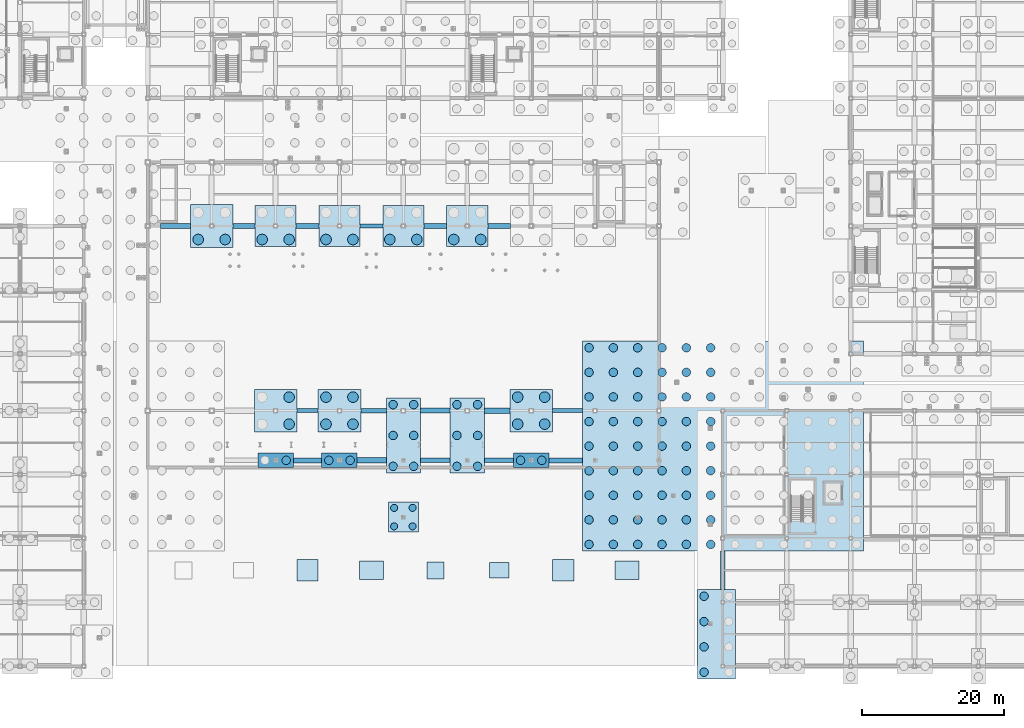
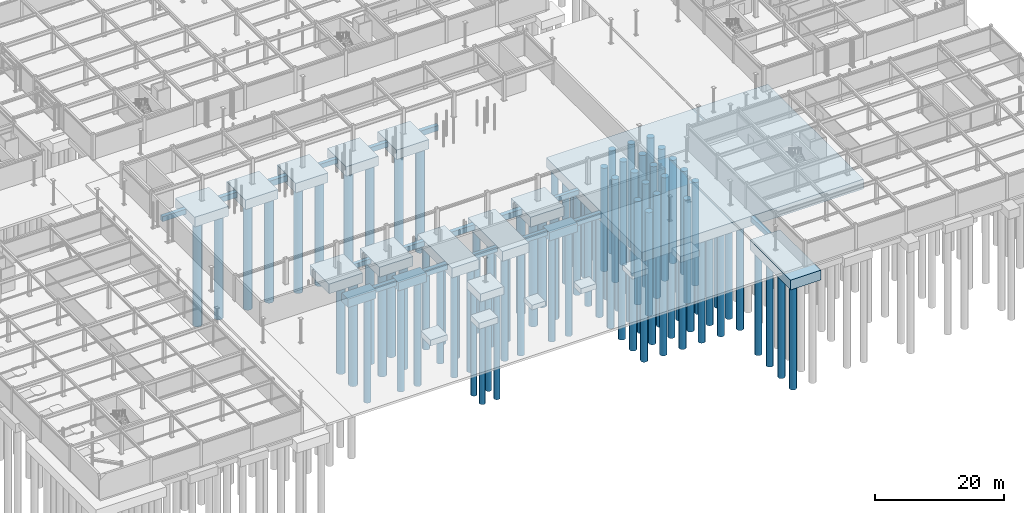
# One storey, part 3 of 74: 99 piles, 39 footings.
"""IFC4 building model written with IfcOpenShell, lengths in metres."""

from ifc_helpers import new_model, si_unit, direction, frame, origin, origin_2d, place, context, subcontext, project, spatial, polyline, rectangle, circle, outline, extrude, material, material_profile, profile_set, type_object, element, save


model = new_model("IFC4")

# Units and contexts
model_context = context("Model", 3, precision=1e-05, world=origin(), true_north=direction((0.0, 1.0)))
body_context = subcontext(model_context, "Body", "Model", "MODEL_VIEW")
ifc_project = project(units=[si_unit("LENGTHUNIT", "METRE"), si_unit("AREAUNIT", "SQUARE_METRE"), si_unit("VOLUMEUNIT", "CUBIC_METRE"), si_unit("PLANEANGLEUNIT", "RADIAN"), si_unit("MASSUNIT", "GRAM", prefix="KILO")], contexts=[model_context])

# Site, building, storey
site_placement = place(None, origin())
site = spatial("IfcSite", under=ifc_project, at=site_placement, CompositionType="ELEMENT")
building_placement = place(site_placement, origin())
building = spatial("IfcBuilding", under=site, at=building_placement, Name="Suzunagisa Mobility Hub", CompositionType="ELEMENT")
storey_placement = place(building_placement, frame((0.0, 0.0, -4.800048828125)))
storey = spatial("IfcBuildingStorey", under=building, at=storey_placement, Name="B1", CompositionType="ELEMENT", Elevation=-4.800048828125)

# Piles
ifc_material_1 = material(Name="Concrete C30/37", Category="concrete")
ifc_material_profile_1 = material_profile(ifc_material_1, circle(Radius=0.60009765625, at=origin_2d()), Name="BORED PILE D1200")
ifc_profile_set_1 = profile_set([ifc_material_profile_1], Name="Concrete C30/37")
pile_type_1 = type_object("IfcPileType", Name="Bored Pile PL-01 D1200", PredefinedType="BORED", material=ifc_profile_set_1)
for number, where, z_axis, x_axis, name in (
    (1, (64.5, 29.0, -1.89990234375), (0.0, 0.0, -1.0), (1.0, 0.0, 0.0), "Bored Pile 49.2"),
    (2, (70.5, 29.0, -1.89990234375), (0.0, 0.0, -1.0), (1.0, 0.0, 0.0), "Bored Pile 57.1"),
    (3, (73.5, 29.0, -1.89990234375), (0.0, 0.0, -1.0), (1.0, 0.0, 0.0), "Bored Pile 57.2"),
):
    element("IfcPile", number, at=place(storey_placement, frame(where, z_axis=z_axis, x_axis=x_axis)), inside=storey, type_object=pile_type_1, Name=name, PredefinedType="BORED", context=body_context, shape_type="SweptSolid", body=[
        extrude(circle(Radius=0.60009765625, at=origin_2d()), origin(), (0.0, 0.0, 1.0), 19.800048828125),
    ])
for number, where, z_axis, x_axis, name in (
    (4, (79.550048828125, 28.14990234375, -2.14990234375), (0.0, 0.0, -1.0), (1.0, 0.0, 0.0), "Bored Pile 64.1"),
    (5, (79.550048828125, 32.5, -2.14990234375), (0.0, 0.0, -1.0), (1.0, 0.0, 0.0), "Bored Pile 64.2"),
    (6, (79.550048828125, 36.85009765625, -2.14990234375), (0.0, 0.0, -1.0), (1.0, 0.0, 0.0), "Bored Pile 64.3"),
    (7, (82.449951171875, 28.14990234375, -2.14990234375), (0.0, 0.0, -1.0), (1.0, 0.0, 0.0), "Bored Pile 64.4"),
    (8, (82.449951171875, 32.5, -2.14990234375), (0.0, 0.0, -1.0), (1.0, 0.0, 0.0), "Bored Pile 64.5"),
    (9, (82.449951171875, 36.85009765625, -2.14990234375), (0.0, 0.0, -1.0), (1.0, 0.0, 0.0), "Bored Pile 64.6"),
    (10, (88.550048828125, 28.14990234375, -2.14990234375), (0.0, 0.0, -1.0), (1.0, 0.0, 0.0), "Bored Pile 68.1"),
    (11, (88.550048828125, 32.5, -2.14990234375), (0.0, 0.0, -1.0), (1.0, 0.0, 0.0), "Bored Pile 68.2"),
    (12, (88.550048828125, 36.85009765625, -2.14990234375), (0.0, 0.0, -1.0), (1.0, 0.0, 0.0), "Bored Pile 68.3"),
    (13, (91.449951171875, 28.14990234375, -2.14990234375), (0.0, 0.0, -1.0), (1.0, 0.0, 0.0), "Bored Pile 68.4"),
    (14, (91.449951171875, 32.5, -2.14990234375), (0.0, 0.0, -1.0), (1.0, 0.0, 0.0), "Bored Pile 68.5"),
    (15, (91.449951171875, 36.85009765625, -2.14990234375), (0.0, 0.0, -1.0), (1.0, 0.0, 0.0), "Bored Pile 68.6"),
):
    element("IfcPile", number, at=place(storey_placement, frame(where, z_axis=z_axis, x_axis=x_axis)), inside=storey, type_object=pile_type_1, Name=name, PredefinedType="BORED", context=body_context, shape_type="SweptSolid", body=[
        extrude(circle(Radius=0.60009765625, at=origin_2d()), origin(), (0.0, 0.0, 1.0), 19.550048828125),
    ])
for number, where, z_axis, x_axis, name in (
    (16, (97.5, 29.0, -1.89990234375), (0.0, 0.0, -1.0), (1.0, 0.0, 0.0), "Bored Pile 73.1"),
    (17, (100.5, 29.0, -1.89990234375), (0.0, 0.0, -1.0), (1.0, 0.0, 0.0), "Bored Pile 73.2"),
):
    element("IfcPile", number, at=place(storey_placement, frame(where, z_axis=z_axis, x_axis=x_axis)), inside=storey, type_object=pile_type_1, Name=name, PredefinedType="BORED", context=body_context, shape_type="SweptSolid", body=[
        extrude(circle(Radius=0.60009765625, at=origin_2d()), origin(), (0.0, 0.0, 1.0), 19.800048828125),
    ])
for number, where, z_axis, x_axis, name in (
    (18, (107.14990234375, 17.14990234375, -2.14990234375), (0.0, 0.0, -1.0), (1.0, 0.0, 0.0), "Bored Pile 82.1"),
    (19, (107.14990234375, 20.612548828125, -2.14990234375), (0.0, 0.0, -1.0), (1.0, 0.0, 0.0), "Bored Pile 82.2"),
    (20, (107.14990234375, 24.074951171875, -2.14990234375), (0.0, 0.0, -1.0), (1.0, 0.0, 0.0), "Bored Pile 82.3"),
    (21, (107.14990234375, 27.53759765625, -2.14990234375), (0.0, 0.0, -1.0), (1.0, 0.0, 0.0), "Bored Pile 82.4"),
    (22, (107.14990234375, 31.0, -2.14990234375), (0.0, 0.0, -1.0), (1.0, 0.0, 0.0), "Bored Pile 82.5"),
    (23, (107.14990234375, 34.46240234375, -2.14990234375), (0.0, 0.0, -1.0), (1.0, 0.0, 0.0), "Bored Pile 82.6"),
    (24, (107.14990234375, 37.925048828125, -2.14990234375), (0.0, 0.0, -1.0), (1.0, 0.0, 0.0), "Bored Pile 82.7"),
    (25, (107.14990234375, 41.387451171875, -2.14990234375), (0.0, 0.0, -1.0), (1.0, 0.0, 0.0), "Bored Pile 82.8"),
    (26, (107.14990234375, 44.85009765625, -2.14990234375), (0.0, 0.0, -1.0), (1.0, 0.0, 0.0), "Bored Pile 82.9"),
    (27, (110.577392578125, 17.14990234375, -2.14990234375), (0.0, 0.0, -1.0), (1.0, 0.0, 0.0), "Bored Pile 82.10"),
    (28, (110.577392578125, 20.612548828125, -2.14990234375), (0.0, 0.0, -1.0), (1.0, 0.0, 0.0), "Bored Pile 82.11"),
    (29, (110.577392578125, 24.074951171875, -2.14990234375), (0.0, 0.0, -1.0), (1.0, 0.0, 0.0), "Bored Pile 82.12"),
    (30, (110.577392578125, 27.53759765625, -2.14990234375), (0.0, 0.0, -1.0), (1.0, 0.0, 0.0), "Bored Pile 82.13"),
    (31, (110.577392578125, 31.0, -2.14990234375), (0.0, 0.0, -1.0), (1.0, 0.0, 0.0), "Bored Pile 82.14"),
    (32, (110.577392578125, 34.46240234375, -2.14990234375), (0.0, 0.0, -1.0), (1.0, 0.0, 0.0), "Bored Pile 82.15"),
    (33, (110.577392578125, 37.925048828125, -2.14990234375), (0.0, 0.0, -1.0), (1.0, 0.0, 0.0), "Bored Pile 82.16"),
    (34, (110.577392578125, 41.387451171875, -2.14990234375), (0.0, 0.0, -1.0), (1.0, 0.0, 0.0), "Bored Pile 82.17"),
    (35, (110.577392578125, 44.85009765625, -2.14990234375), (0.0, 0.0, -1.0), (1.0, 0.0, 0.0), "Bored Pile 82.18"),
    (36, (114.00439453125, 17.14990234375, -2.14990234375), (0.0, 0.0, -1.0), (1.0, 0.0, 0.0), "Bored Pile 82.19"),
    (37, (114.00439453125, 20.612548828125, -2.14990234375), (0.0, 0.0, -1.0), (1.0, 0.0, 0.0), "Bored Pile 82.20"),
    (38, (114.00439453125, 24.074951171875, -2.14990234375), (0.0, 0.0, -1.0), (1.0, 0.0, 0.0), "Bored Pile 82.21"),
    (39, (114.00439453125, 27.53759765625, -2.14990234375), (0.0, 0.0, -1.0), (1.0, 0.0, 0.0), "Bored Pile 82.22"),
    (40, (114.00439453125, 31.0, -2.14990234375), (0.0, 0.0, -1.0), (1.0, 0.0, 0.0), "Bored Pile 82.23"),
    (41, (114.00439453125, 34.46240234375, -2.14990234375), (0.0, 0.0, -1.0), (1.0, 0.0, 0.0), "Bored Pile 82.24"),
    (42, (114.00439453125, 37.925048828125, -2.14990234375), (0.0, 0.0, -1.0), (1.0, 0.0, 0.0), "Bored Pile 82.25"),
    (43, (114.00439453125, 41.387451171875, -2.14990234375), (0.0, 0.0, -1.0), (1.0, 0.0, 0.0), "Bored Pile 82.26"),
    (44, (114.00439453125, 44.85009765625, -2.14990234375), (0.0, 0.0, -1.0), (1.0, 0.0, 0.0), "Bored Pile 82.27"),
    (45, (117.431884765625, 17.14990234375, -2.14990234375), (0.0, 0.0, -1.0), (1.0, 0.0, 0.0), "Bored Pile 82.28"),
    (46, (117.431884765625, 20.612548828125, -2.14990234375), (0.0, 0.0, -1.0), (1.0, 0.0, 0.0), "Bored Pile 82.29"),
    (47, (117.431884765625, 24.074951171875, -2.14990234375), (0.0, 0.0, -1.0), (1.0, 0.0, 0.0), "Bored Pile 82.30"),
    (48, (117.431884765625, 27.53759765625, -2.14990234375), (0.0, 0.0, -1.0), (1.0, 0.0, 0.0), "Bored Pile 82.31"),
    (49, (117.431884765625, 31.0, -2.14990234375), (0.0, 0.0, -1.0), (1.0, 0.0, 0.0), "Bored Pile 82.32"),
    (50, (117.431884765625, 34.46240234375, -2.14990234375), (0.0, 0.0, -1.0), (1.0, 0.0, 0.0), "Bored Pile 82.33"),
    (51, (117.431884765625, 37.925048828125, -2.14990234375), (0.0, 0.0, -1.0), (1.0, 0.0, 0.0), "Bored Pile 82.34"),
    (52, (117.431884765625, 41.387451171875, -2.14990234375), (0.0, 0.0, -1.0), (1.0, 0.0, 0.0), "Bored Pile 82.35"),
    (53, (117.431884765625, 44.85009765625, -2.14990234375), (0.0, 0.0, -1.0), (1.0, 0.0, 0.0), "Bored Pile 82.36"),
    (54, (120.859130859375, 17.14990234375, -2.14990234375), (0.0, 0.0, -1.0), (1.0, 0.0, 0.0), "Bored Pile 82.37"),
    (55, (120.859130859375, 20.612548828125, -2.14990234375), (0.0, 0.0, -1.0), (1.0, 0.0, 0.0), "Bored Pile 82.38"),
    (56, (120.859130859375, 24.074951171875, -2.14990234375), (0.0, 0.0, -1.0), (1.0, 0.0, 0.0), "Bored Pile 82.39"),
    (57, (120.859130859375, 27.53759765625, -2.14990234375), (0.0, 0.0, -1.0), (1.0, 0.0, 0.0), "Bored Pile 82.40"),
    (58, (120.859130859375, 31.0, -2.14990234375), (0.0, 0.0, -1.0), (1.0, 0.0, 0.0), "Bored Pile 82.41"),
    (59, (120.859130859375, 34.46240234375, -2.14990234375), (0.0, 0.0, -1.0), (1.0, 0.0, 0.0), "Bored Pile 82.42"),
    (60, (120.859130859375, 37.925048828125, -2.14990234375), (0.0, 0.0, -1.0), (1.0, 0.0, 0.0), "Bored Pile 82.43"),
    (61, (120.859130859375, 41.387451171875, -2.14990234375), (0.0, 0.0, -1.0), (1.0, 0.0, 0.0), "Bored Pile 82.44"),
    (62, (120.859130859375, 44.85009765625, -2.14990234375), (0.0, 0.0, -1.0), (1.0, 0.0, 0.0), "Bored Pile 82.45"),
    (63, (124.286376953125, 17.14990234375, -2.14990234375), (0.0, 0.0, -1.0), (1.0, 0.0, 0.0), "Bored Pile 82.46"),
    (64, (124.286376953125, 20.612548828125, -2.14990234375), (0.0, 0.0, -1.0), (1.0, 0.0, 0.0), "Bored Pile 82.47"),
    (65, (124.286376953125, 24.074951171875, -2.14990234375), (0.0, 0.0, -1.0), (1.0, 0.0, 0.0), "Bored Pile 82.48"),
    (66, (124.286376953125, 27.53759765625, -2.14990234375), (0.0, 0.0, -1.0), (1.0, 0.0, 0.0), "Bored Pile 82.49"),
    (67, (124.286376953125, 31.0, -2.14990234375), (0.0, 0.0, -1.0), (1.0, 0.0, 0.0), "Bored Pile 82.50"),
    (68, (124.286376953125, 34.46240234375, -2.14990234375), (0.0, 0.0, -1.0), (1.0, 0.0, 0.0), "Bored Pile 82.51"),
    (69, (124.286376953125, 37.925048828125, -2.14990234375), (0.0, 0.0, -1.0), (1.0, 0.0, 0.0), "Bored Pile 82.52"),
    (70, (124.286376953125, 41.387451171875, -2.14990234375), (0.0, 0.0, -1.0), (1.0, 0.0, 0.0), "Bored Pile 82.53"),
    (71, (124.286376953125, 44.85009765625, -2.14990234375), (0.0, 0.0, -1.0), (1.0, 0.0, 0.0), "Bored Pile 82.54"),
    (72, (123.35009765625, -0.85009765625, -2.14990234375), (0.0, 0.0, -1.0), (1.0, 0.0, 0.0), "Bored Pile 94.1"),
    (73, (123.35009765625, 2.716796875, -2.14990234375), (0.0, 0.0, -1.0), (1.0, 0.0, 0.0), "Bored Pile 94.2"),
    (74, (123.35009765625, 6.283203125, -2.14990234375), (0.0, 0.0, -1.0), (1.0, 0.0, 0.0), "Bored Pile 94.3"),
    (75, (123.35009765625, 9.85009765625, -2.14990234375), (0.0, 0.0, -1.0), (1.0, 0.0, 0.0), "Bored Pile 94.4"),
):
    element("IfcPile", number, at=place(storey_placement, frame(where, z_axis=z_axis, x_axis=x_axis)), inside=storey, type_object=pile_type_1, Name=name, PredefinedType="BORED", context=body_context, shape_type="SweptSolid", body=[
        extrude(circle(Radius=0.60009765625, at=origin_2d()), origin(), (0.0, 0.0, 1.0), 19.550048828125),
    ])
ifc_material_profile_2 = material_profile(ifc_material_1, circle(Radius=0.5, at=origin_2d()), Name="BORED PILE D1000")
ifc_profile_set_2 = profile_set([ifc_material_profile_2], Name="Concrete C30/37")
pile_type_2 = type_object("IfcPileType", Name="Bored Pile PL-02 D1000", PredefinedType="BORED", material=ifc_profile_set_2)
for number, where, z_axis, x_axis, name in (
    (76, (79.699951171875, 19.699951171875, -1.77001953125), (0.0, 0.0, -1.0), (1.0, 0.0, 0.0), "Bored Pile 63.1"),
    (77, (82.300048828125, 19.699951171875, -1.77001953125), (0.0, 0.0, -1.0), (1.0, 0.0, 0.0), "Bored Pile 63.2"),
    (78, (79.699951171875, 22.300048828125, -1.77001953125), (0.0, 0.0, -1.0), (1.0, 0.0, 0.0), "Bored Pile 63.3"),
    (79, (82.300048828125, 22.300048828125, -1.77001953125), (0.0, 0.0, -1.0), (1.0, 0.0, 0.0), "Bored Pile 63.4"),
):
    element("IfcPile", number, at=place(storey_placement, frame(where, z_axis=z_axis, x_axis=x_axis)), inside=storey, type_object=pile_type_2, Name=name, PredefinedType="BORED", context=body_context, shape_type="SweptSolid", body=[
        extrude(circle(Radius=0.5, at=origin_2d()), origin(), (0.0, 0.0, 1.0), 19.929931640625),
    ])
ifc_material_profile_3 = material_profile(ifc_material_1, circle(Radius=0.75, at=origin_2d()), Name="BORED PILE D1500")
ifc_profile_set_3 = profile_set([ifc_material_profile_3], Name="Concrete C30/37")
pile_type_3 = type_object("IfcPileType", Name="Bored Pile PL-03 D1500", PredefinedType="BORED", material=ifc_profile_set_3)
for number, where, z_axis, x_axis, name in (
    (80, (52.10009765625, 60.10009765625, -2.14990234375), (0.0, 0.0, -1.0), (1.0, 0.0, 0.0), "Bored Pile 44.1"),
    (81, (55.89990234375, 60.10009765625, -2.14990234375), (0.0, 0.0, -1.0), (1.0, 0.0, 0.0), "Bored Pile 44.2"),
    (82, (64.89990234375, 34.10009765625, -2.14990234375), (0.0, 0.0, -1.0), (1.0, 0.0, 0.0), "Bored Pile 50.2"),
    (83, (64.89990234375, 37.89990234375, -2.14990234375), (0.0, 0.0, -1.0), (1.0, 0.0, 0.0), "Bored Pile 50.4"),
):
    element("IfcPile", number, at=place(storey_placement, frame(where, z_axis=z_axis, x_axis=x_axis)), inside=storey, type_object=pile_type_3, Name=name, PredefinedType="BORED", context=body_context, shape_type="SweptSolid", body=[
        extrude(circle(Radius=0.75, at=origin_2d()), origin(), (0.0, 0.0, 1.0), 19.550048828125),
    ])
for number, where, z_axis, x_axis, name in (
    (84, (61.10009765625, 60.10009765625, -2.099853515625), (0.0, 0.0, -1.0), (1.0, 0.0, 0.0), "Bored Pile 51.1"),
    (85, (64.89990234375, 60.10009765625, -2.099853515625), (0.0, 0.0, -1.0), (1.0, 0.0, 0.0), "Bored Pile 51.2"),
):
    element("IfcPile", number, at=place(storey_placement, frame(where, z_axis=z_axis, x_axis=x_axis)), inside=storey, type_object=pile_type_3, Name=name, PredefinedType="BORED", context=body_context, shape_type="SweptSolid", body=[
        extrude(circle(Radius=0.75, at=origin_2d()), origin(), (0.0, 0.0, 1.0), 19.60009765625),
    ])
for number, where, z_axis, x_axis, name in (
    (86, (70.10009765625, 34.10009765625, -2.14990234375), (0.0, 0.0, -1.0), (1.0, 0.0, 0.0), "Bored Pile 58.1"),
    (87, (73.89990234375, 34.10009765625, -2.14990234375), (0.0, 0.0, -1.0), (1.0, 0.0, 0.0), "Bored Pile 58.2"),
    (88, (70.10009765625, 37.89990234375, -2.14990234375), (0.0, 0.0, -1.0), (1.0, 0.0, 0.0), "Bored Pile 58.3"),
    (89, (73.89990234375, 37.89990234375, -2.14990234375), (0.0, 0.0, -1.0), (1.0, 0.0, 0.0), "Bored Pile 58.4"),
):
    element("IfcPile", number, at=place(storey_placement, frame(where, z_axis=z_axis, x_axis=x_axis)), inside=storey, type_object=pile_type_3, Name=name, PredefinedType="BORED", context=body_context, shape_type="SweptSolid", body=[
        extrude(circle(Radius=0.75, at=origin_2d()), origin(), (0.0, 0.0, 1.0), 19.550048828125),
    ])
for number, where, z_axis, x_axis, name in (
    (90, (70.10009765625, 60.10009765625, -2.099853515625), (0.0, 0.0, -1.0), (1.0, 0.0, 0.0), "Bored Pile 59.1"),
    (91, (73.89990234375, 60.10009765625, -2.099853515625), (0.0, 0.0, -1.0), (1.0, 0.0, 0.0), "Bored Pile 59.2"),
    (92, (79.10009765625, 60.10009765625, -2.099853515625), (0.0, 0.0, -1.0), (1.0, 0.0, 0.0), "Bored Pile 65.1"),
    (93, (82.89990234375, 60.10009765625, -2.099853515625), (0.0, 0.0, -1.0), (1.0, 0.0, 0.0), "Bored Pile 65.2"),
    (94, (88.10009765625, 60.10009765625, -2.099853515625), (0.0, 0.0, -1.0), (1.0, 0.0, 0.0), "Bored Pile 69.1"),
    (95, (91.89990234375, 60.10009765625, -2.099853515625), (0.0, 0.0, -1.0), (1.0, 0.0, 0.0), "Bored Pile 69.2"),
):
    element("IfcPile", number, at=place(storey_placement, frame(where, z_axis=z_axis, x_axis=x_axis)), inside=storey, type_object=pile_type_3, Name=name, PredefinedType="BORED", context=body_context, shape_type="SweptSolid", body=[
        extrude(circle(Radius=0.75, at=origin_2d()), origin(), (0.0, 0.0, 1.0), 19.60009765625),
    ])
for number, where, z_axis, x_axis, name in (
    (96, (97.10009765625, 34.10009765625, -2.14990234375), (0.0, 0.0, -1.0), (1.0, 0.0, 0.0), "Bored Pile 74.1"),
    (97, (100.89990234375, 34.10009765625, -2.14990234375), (0.0, 0.0, -1.0), (1.0, 0.0, 0.0), "Bored Pile 74.2"),
    (98, (97.10009765625, 37.89990234375, -2.14990234375), (0.0, 0.0, -1.0), (1.0, 0.0, 0.0), "Bored Pile 74.3"),
    (99, (100.89990234375, 37.89990234375, -2.14990234375), (0.0, 0.0, -1.0), (1.0, 0.0, 0.0), "Bored Pile 74.4"),
):
    element("IfcPile", number, at=place(storey_placement, frame(where, z_axis=z_axis, x_axis=x_axis)), inside=storey, type_object=pile_type_3, Name=name, PredefinedType="BORED", context=body_context, shape_type="SweptSolid", body=[
        extrude(circle(Radius=0.75, at=origin_2d()), origin(), (0.0, 0.0, 1.0), 19.550048828125),
    ])

# Footings
ifc_material_2 = material(Name="Concrete C35/45", Category="concrete")
footing_type_1 = type_object("IfcFootingType", Name="Combined Prow Pile Cap FR-15 4800x10600x1850", PredefinedType="PILE_CAP", material=ifc_material_2)
for number, where, z_axis, x_axis, name in (
    (100, (81.0, 32.5, -2.300048828125), (0.0, 0.0, 1.0), (1.0, 0.0, 0.0), "Combined Prow Pile Cap 64"),
    (101, (90.0, 32.5, -2.300048828125), (0.0, 0.0, 1.0), (1.0, 0.0, 0.0), "Combined Prow Pile Cap 68"),
):
    element("IfcFooting", number, at=place(storey_placement, frame(where, z_axis=z_axis, x_axis=x_axis)), inside=storey, type_object=footing_type_1, Name=name, PredefinedType="PILE_CAP", context=body_context, shape_type="SweptSolid", body=[
        extrude(rectangle(XDim=4.800048828125, YDim=10.60009765625, at=origin_2d()), origin(), (0.0, 0.0, 1.0), 1.85009765625),
    ])
footing_type_2 = type_object("IfcFootingType", Name="Combined Prow Pile Cap FR-17 39600x29600x1850", PredefinedType="PILE_CAP", material=ifc_material_2)
footing_1_placement = place(storey_placement, frame((126.0, 31.0, -2.300048828125), z_axis=(0.0, 0.0, 1.0), x_axis=(1.0, 0.0, 0.0)))
element("IfcFooting", 102, at=footing_1_placement, inside=storey, type_object=footing_type_2, Name="Combined Prow Pile Cap 82", PredefinedType="PILE_CAP", context=body_context, shape_type="SweptSolid", body=[
    extrude(rectangle(XDim=39.60009765625, YDim=29.60009765625, at=origin_2d()), origin(), (0.0, 0.0, 1.0), 1.85009765625),
])
footing_type_3 = type_object("IfcFootingType", Name="Combined Prow Pile Cap FR-20 5400x12600x1850", PredefinedType="PILE_CAP", material=ifc_material_2)
footing_2_placement = place(storey_placement, frame((125.10009765625, 4.5, -2.300048828125), z_axis=(0.0, 0.0, 1.0), x_axis=(1.0, 0.0, 0.0)))
element("IfcFooting", 103, at=footing_2_placement, inside=storey, type_object=footing_type_3, Name="Combined Prow Pile Cap 94", PredefinedType="PILE_CAP", context=body_context, shape_type="SweptSolid", body=[
    extrude(rectangle(XDim=5.39990234375, YDim=12.60009765625, at=origin_2d()), origin(), (0.0, 0.0, 1.0), 1.85009765625),
])
footing_type_4 = type_object("IfcFootingType", Name="Ground Tie Beam FT-03 750x1100", PredefinedType="FOOTING_BEAM", material=ifc_material_2)
footing_3_placement = place(storey_placement, frame((0.0, 0.0, -1.550048828125)))
element("IfcFooting", 104, at=footing_3_placement, inside=storey, type_object=footing_type_4, Name="Foundation Tie Beam TBX-32", PredefinedType="FOOTING_BEAM", context=body_context, shape_type="SweptSolid", body=[
    extrude(outline(polyline([(74.5, 28.625), (78.60009765625, 28.625), (78.60009765625, 29.375), (74.5, 29.375), (74.5, 28.625)])), origin(), (0.0, 0.0, 1.0), 1.10009765625),
])
footing_4_placement = place(storey_placement, frame((0.0, 0.0, -1.550048828125)))
element("IfcFooting", 105, at=footing_4_placement, inside=storey, type_object=footing_type_4, Name="Foundation Tie Beam TBX-44", PredefinedType="FOOTING_BEAM", context=body_context, shape_type="SweptSolid", body=[
    extrude(outline(polyline([(92.39990234375, 35.625), (96.0, 35.625), (96.0, 36.375), (92.39990234375, 36.375), (92.39990234375, 35.625)])), origin(), (0.0, 0.0, 1.0), 1.10009765625),
])
footing_5_placement = place(storey_placement, frame((0.0, 0.0, -1.550048828125)))
element("IfcFooting", 106, at=footing_5_placement, inside=storey, type_object=footing_type_4, Name="Foundation Tie Beam TBX-68", PredefinedType="FOOTING_BEAM", context=body_context, shape_type="SweptSolid", body=[
    extrude(outline(polyline([(65.89990234375, 61.625), (69.10009765625, 61.625), (69.10009765625, 62.375), (65.89990234375, 62.375), (65.89990234375, 61.625)])), origin(), (0.0, 0.0, 1.0), 1.10009765625),
])
footing_type_5 = type_object("IfcFootingType", Name="Ground Tie Beam FT-05 600x900", PredefinedType="FOOTING_BEAM", material=ifc_material_2)
footing_6_placement = place(storey_placement, frame((0.0, 0.0, -1.349853515625)))
element("IfcFooting", 107, at=footing_6_placement, inside=storey, type_object=footing_type_5, Name="Foundation Tie Beam TBX-33", PredefinedType="FOOTING_BEAM", context=body_context, shape_type="SweptSolid", body=[
    extrude(outline(polyline([(83.39990234375, 28.699951171875), (87.60009765625, 28.699951171875), (87.60009765625, 29.300048828125), (83.39990234375, 29.300048828125), (83.39990234375, 28.699951171875)])), origin(), (0.0, 0.0, 1.0), 0.89990234375),
])
footing_7_placement = place(storey_placement, frame((0.0, 0.0, -1.349853515625)))
element("IfcFooting", 108, at=footing_7_placement, inside=storey, type_object=footing_type_5, Name="Foundation Tie Beam TBX-41", PredefinedType="FOOTING_BEAM", context=body_context, shape_type="SweptSolid", body=[
    extrude(outline(polyline([(66.0, 35.699951171875), (69.0, 35.699951171875), (69.0, 36.300048828125), (66.0, 36.300048828125), (66.0, 35.699951171875)])), origin(), (0.0, 0.0, 1.0), 0.89990234375),
])
footing_8_placement = place(storey_placement, frame((0.0, 0.0, -1.349853515625)))
element("IfcFooting", 109, at=footing_8_placement, inside=storey, type_object=footing_type_5, Name="Foundation Tie Beam TBX-45", PredefinedType="FOOTING_BEAM", context=body_context, shape_type="SweptSolid", body=[
    extrude(outline(polyline([(102.0, 35.699951171875), (106.199951171875, 35.699951171875), (106.199951171875, 36.300048828125), (102.0, 36.300048828125), (102.0, 35.699951171875)])), origin(), (0.0, 0.0, 1.0), 0.89990234375),
])
footing_9_placement = place(storey_placement, frame((0.0, 0.0, -1.349853515625)))
element("IfcFooting", 110, at=footing_9_placement, inside=storey, type_object=footing_type_5, Name="Foundation Tie Beam TBX-69", PredefinedType="FOOTING_BEAM", context=body_context, shape_type="SweptSolid", body=[
    extrude(outline(polyline([(74.89990234375, 61.699951171875), (78.10009765625, 61.699951171875), (78.10009765625, 62.300048828125), (74.89990234375, 62.300048828125), (74.89990234375, 61.699951171875)])), origin(), (0.0, 0.0, 1.0), 0.89990234375),
])
footing_type_6 = type_object("IfcFootingType", Name="Ground Tie Beam FT-07 650x950", PredefinedType="FOOTING_BEAM", material=ifc_material_2)
footing_10_placement = place(storey_placement, frame((0.0, 0.0, -1.39990234375)))
element("IfcFooting", 111, at=footing_10_placement, inside=storey, type_object=footing_type_6, Name="Foundation Tie Beam TBX-34", PredefinedType="FOOTING_BEAM", context=body_context, shape_type="SweptSolid", body=[
    extrude(outline(polyline([(92.39990234375, 28.675048828125), (96.5, 28.675048828125), (96.5, 29.324951171875), (92.39990234375, 29.324951171875), (92.39990234375, 28.675048828125)])), origin(), (0.0, 0.0, 1.0), 0.949951171875),
])
footing_11_placement = place(storey_placement, frame((0.0, 0.0, -1.39990234375)))
element("IfcFooting", 112, at=footing_11_placement, inside=storey, type_object=footing_type_6, Name="Foundation Tie Beam TBX-42", PredefinedType="FOOTING_BEAM", context=body_context, shape_type="SweptSolid", body=[
    extrude(outline(polyline([(75.0, 35.675048828125), (78.60009765625, 35.675048828125), (78.60009765625, 36.324951171875), (75.0, 36.324951171875), (75.0, 35.675048828125)])), origin(), (0.0, 0.0, 1.0), 0.949951171875),
])
footing_12_placement = place(storey_placement, frame((0.0, 0.0, -1.449951171875)))
element("IfcFooting", 113, at=footing_12_placement, inside=storey, type_object=footing_type_6, Name="Foundation Tie Beam TBX-66", PredefinedType="FOOTING_BEAM", context=body_context, shape_type="SweptSolid", body=[
    extrude(outline(polyline([(46.800048828125, 61.675048828125), (51.0, 61.675048828125), (51.0, 62.324951171875), (46.800048828125, 62.324951171875), (46.800048828125, 61.675048828125)])), origin(), (0.0, 0.0, 1.0), 0.949951171875),
])
footing_13_placement = place(storey_placement, frame((0.0, 0.0, -1.39990234375)))
element("IfcFooting", 114, at=footing_13_placement, inside=storey, type_object=footing_type_6, Name="Foundation Tie Beam TBX-70", PredefinedType="FOOTING_BEAM", context=body_context, shape_type="SweptSolid", body=[
    extrude(outline(polyline([(83.89990234375, 61.675048828125), (87.10009765625, 61.675048828125), (87.10009765625, 62.324951171875), (83.89990234375, 62.324951171875), (83.89990234375, 61.675048828125)])), origin(), (0.0, 0.0, 1.0), 0.949951171875),
])
footing_14_placement = place(storey_placement, frame((0.0, 0.0, -1.39990234375)))
element("IfcFooting", 115, at=footing_14_placement, inside=storey, type_object=footing_type_6, Name="Foundation Tie Beam TBY-218", PredefinedType="FOOTING_BEAM", context=body_context, shape_type="SweptSolid", body=[
    extrude(outline(polyline([(125.675048828125, 10.800048828125), (126.324951171875, 10.800048828125), (126.324951171875, 16.199951171875), (125.675048828125, 16.199951171875), (125.675048828125, 10.800048828125)])), origin(), (0.0, 0.0, 1.0), 0.949951171875),
])
footing_type_7 = type_object("IfcFootingType", Name="Ground Tie Beam FT-23 700x1000", PredefinedType="FOOTING_BEAM", material=ifc_material_2)
footing_15_placement = place(storey_placement, frame((0.0, 0.0, -1.449951171875)))
element("IfcFooting", 116, at=footing_15_placement, inside=storey, type_object=footing_type_7, Name="Foundation Tie Beam TBX-31", PredefinedType="FOOTING_BEAM", context=body_context, shape_type="SweptSolid", body=[
    extrude(outline(polyline([(65.5, 28.64990234375), (69.5, 28.64990234375), (69.5, 29.35009765625), (65.5, 29.35009765625), (65.5, 28.64990234375)])), origin(), (0.0, 0.0, 1.0), 1.0),
])
footing_16_placement = place(storey_placement, frame((0.0, 0.0, -1.449951171875)))
element("IfcFooting", 117, at=footing_16_placement, inside=storey, type_object=footing_type_7, Name="Foundation Tie Beam TBX-35", PredefinedType="FOOTING_BEAM", context=body_context, shape_type="SweptSolid", body=[
    extrude(outline(polyline([(101.5, 28.64990234375), (106.199951171875, 28.64990234375), (106.199951171875, 29.35009765625), (101.5, 29.35009765625), (101.5, 28.64990234375)])), origin(), (0.0, 0.0, 1.0), 1.0),
])
footing_17_placement = place(storey_placement, frame((0.0, 0.0, -1.449951171875)))
element("IfcFooting", 118, at=footing_17_placement, inside=storey, type_object=footing_type_7, Name="Foundation Tie Beam TBX-43", PredefinedType="FOOTING_BEAM", context=body_context, shape_type="SweptSolid", body=[
    extrude(outline(polyline([(83.39990234375, 35.64990234375), (87.60009765625, 35.64990234375), (87.60009765625, 36.35009765625), (83.39990234375, 36.35009765625), (83.39990234375, 35.64990234375)])), origin(), (0.0, 0.0, 1.0), 1.0),
])
footing_18_placement = place(storey_placement, frame((0.0, 0.0, -1.449951171875)))
element("IfcFooting", 119, at=footing_18_placement, inside=storey, type_object=footing_type_7, Name="Foundation Tie Beam TBX-67", PredefinedType="FOOTING_BEAM", context=body_context, shape_type="SweptSolid", body=[
    extrude(outline(polyline([(57.0, 61.64990234375), (60.10009765625, 61.64990234375), (60.10009765625, 62.35009765625), (57.0, 62.35009765625), (57.0, 61.64990234375)])), origin(), (0.0, 0.0, 1.0), 1.0),
])
footing_19_placement = place(storey_placement, frame((0.0, 0.0, -1.449951171875)))
element("IfcFooting", 120, at=footing_19_placement, inside=storey, type_object=footing_type_7, Name="Foundation Tie Beam TBX-71", PredefinedType="FOOTING_BEAM", context=body_context, shape_type="SweptSolid", body=[
    extrude(outline(polyline([(92.89990234375, 61.64990234375), (96.10009765625, 61.64990234375), (96.10009765625, 62.35009765625), (92.89990234375, 62.35009765625), (92.89990234375, 61.64990234375)])), origin(), (0.0, 0.0, 1.0), 1.0),
])
footing_type_8 = type_object("IfcFootingType", Name="Pad Footing FT-02 3000x3000x1100", PredefinedType="PAD_FOOTING", material=ifc_material_2)
for number, where, z_axis, x_axis, name in (
    (121, (67.5, 13.5, -1.52001953125), (0.0, 0.0, 1.0), (1.0, 0.0, 0.0), "Forecourt Mat Pad Footing PF-3"),
    (122, (103.5, 13.5, -1.52001953125), (0.0, 0.0, 1.0), (1.0, 0.0, 0.0), "Forecourt Mat Pad Footing PF-7"),
):
    element("IfcFooting", number, at=place(storey_placement, frame(where, z_axis=z_axis, x_axis=x_axis)), inside=storey, type_object=footing_type_8, Name=name, PredefinedType="PAD_FOOTING", context=body_context, shape_type="SweptSolid", body=[
        extrude(rectangle(XDim=3.0, YDim=3.0, at=origin_2d()), origin(), (0.0, 0.0, 1.0), 1.10009765625),
    ])
footing_type_9 = type_object("IfcFootingType", Name="Pad Footing FT-11 3400x2600x1150", PredefinedType="PAD_FOOTING", material=ifc_material_2)
for number, where, z_axis, x_axis, name in (
    (123, (76.5, 13.5, -1.56982421875), (0.0, 0.0, 1.0), (1.0, 0.0, 0.0), "Forecourt Mat Pad Footing PF-4"),
    (124, (112.5, 13.5, -1.56982421875), (0.0, 0.0, 1.0), (1.0, 0.0, 0.0), "Forecourt Mat Pad Footing PF-8"),
):
    element("IfcFooting", number, at=place(storey_placement, frame(where, z_axis=z_axis, x_axis=x_axis)), inside=storey, type_object=footing_type_9, Name=name, PredefinedType="PAD_FOOTING", context=body_context, shape_type="SweptSolid", body=[
        extrude(rectangle(XDim=3.39990234375, YDim=2.60009765625, at=origin_2d()), origin(), (0.0, 0.0, 1.0), 1.14990234375),
    ])
footing_type_10 = type_object("IfcFootingType", Name="Pad Footing FT-20 2800x2200x1000", PredefinedType="PAD_FOOTING", material=ifc_material_2)
footing_20_placement = place(storey_placement, frame((94.5, 13.5, -1.419921875), z_axis=(0.0, 0.0, 1.0), x_axis=(1.0, 0.0, 0.0)))
element("IfcFooting", 125, at=footing_20_placement, inside=storey, type_object=footing_type_10, Name="Forecourt Mat Pad Footing PF-6", PredefinedType="PAD_FOOTING", context=body_context, shape_type="SweptSolid", body=[
    extrude(rectangle(XDim=2.800048828125, YDim=2.199951171875, at=origin_2d()), origin(), (0.0, 0.0, 1.0), 1.0),
])
footing_type_11 = type_object("IfcFootingType", Name="Pad Footing FT-24 2400x2400x900", PredefinedType="PAD_FOOTING", material=ifc_material_2)
footing_21_placement = place(storey_placement, frame((85.5, 13.5, -1.31982421875), z_axis=(0.0, 0.0, 1.0), x_axis=(1.0, 0.0, 0.0)))
element("IfcFooting", 126, at=footing_21_placement, inside=storey, type_object=footing_type_11, Name="Forecourt Mat Pad Footing PF-5", PredefinedType="PAD_FOOTING", context=body_context, shape_type="SweptSolid", body=[
    extrude(rectangle(XDim=2.39990234375, YDim=2.39990234375, at=origin_2d()), origin(), (0.0, 0.0, 1.0), 0.89990234375),
])
footing_type_12 = type_object("IfcFootingType", Name="Pile Cap FT-06 5000x2000x1600", PredefinedType="PILE_CAP", material=ifc_material_2)
for number, where, z_axis, x_axis, name in (
    (127, (63.0, 29.0, -2.050048828125), (0.0, 0.0, 1.0), (1.0, 0.0, 0.0), "Pile Cap 49"),
    (128, (72.0, 29.0, -2.050048828125), (0.0, 0.0, 1.0), (1.0, 0.0, 0.0), "Pile Cap 57"),
    (129, (99.0, 29.0, -2.050048828125), (0.0, 0.0, 1.0), (1.0, 0.0, 0.0), "Pile Cap 73"),
):
    element("IfcFooting", number, at=place(storey_placement, frame(where, z_axis=z_axis, x_axis=x_axis)), inside=storey, type_object=footing_type_12, Name=name, PredefinedType="PILE_CAP", context=body_context, shape_type="SweptSolid", body=[
        extrude(rectangle(XDim=5.0, YDim=2.0, at=origin_2d()), origin(), (0.0, 0.0, 1.0), 1.60009765625),
    ])
footing_type_13 = type_object("IfcFootingType", Name="Pile Cap FT-17 5800x5800x1800", PredefinedType="PILE_CAP", material=ifc_material_2)
for number, where, z_axis, x_axis, name in (
    (130, (63.0, 62.0, -2.25), (0.0, 0.0, 1.0), (1.0, 0.0, 0.0), "Pile Cap 51"),
    (131, (72.0, 62.0, -2.25), (0.0, 0.0, 1.0), (1.0, 0.0, 0.0), "Pile Cap 59"),
    (132, (81.0, 62.0, -2.25), (0.0, 0.0, 1.0), (1.0, 0.0, 0.0), "Pile Cap 65"),
    (133, (90.0, 62.0, -2.25), (0.0, 0.0, 1.0), (1.0, 0.0, 0.0), "Pile Cap 69"),
):
    element("IfcFooting", number, at=place(storey_placement, frame(where, z_axis=z_axis, x_axis=x_axis)), inside=storey, type_object=footing_type_13, Name=name, PredefinedType="PILE_CAP", context=body_context, shape_type="SweptSolid", body=[
        extrude(rectangle(XDim=5.800048828125, YDim=5.800048828125, at=origin_2d()), origin(), (0.0, 0.0, 1.0), 1.800048828125),
    ])
footing_type_14 = type_object("IfcFootingType", Name="Pile Cap FT-18 6000x6000x1850", PredefinedType="PILE_CAP", material=ifc_material_2)
for number, where, z_axis, x_axis, name in (
    (134, (54.0, 62.0, -2.300048828125), (0.0, 0.0, 1.0), (1.0, 0.0, 0.0), "Pile Cap 44"),
    (135, (63.0, 36.0, -2.300048828125), (0.0, 0.0, 1.0), (1.0, 0.0, 0.0), "Pile Cap 50"),
    (136, (72.0, 36.0, -2.300048828125), (0.0, 0.0, 1.0), (1.0, 0.0, 0.0), "Pile Cap 58"),
    (137, (99.0, 36.0, -2.300048828125), (0.0, 0.0, 1.0), (1.0, 0.0, 0.0), "Pile Cap 74"),
):
    element("IfcFooting", number, at=place(storey_placement, frame(where, z_axis=z_axis, x_axis=x_axis)), inside=storey, type_object=footing_type_14, Name=name, PredefinedType="PILE_CAP", context=body_context, shape_type="SweptSolid", body=[
        extrude(rectangle(XDim=6.0, YDim=6.0, at=origin_2d()), origin(), (0.0, 0.0, 1.0), 1.85009765625),
    ])
footing_type_15 = type_object("IfcFootingType", Name="Pile Cap FT-21 4200x4200x1500", PredefinedType="PILE_CAP", material=ifc_material_2)
footing_22_placement = place(storey_placement, frame((81.0, 21.0, -1.919921875), z_axis=(0.0, 0.0, 1.0), x_axis=(1.0, 0.0, 0.0)))
element("IfcFooting", 138, at=footing_22_placement, inside=storey, type_object=footing_type_15, Name="Pile Cap 63", PredefinedType="PILE_CAP", context=body_context, shape_type="SweptSolid", body=[
    extrude(rectangle(XDim=4.199951171875, YDim=4.199951171875, at=origin_2d()), origin(), (0.0, 0.0, 1.0), 1.5),
])

save(model, "model.ifc")
